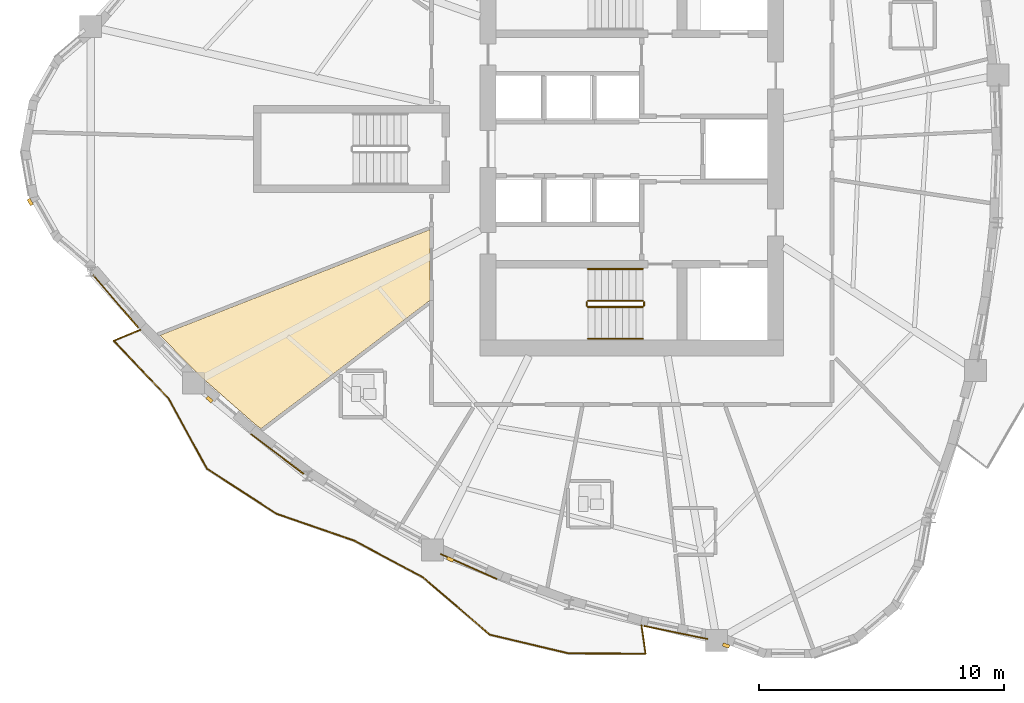
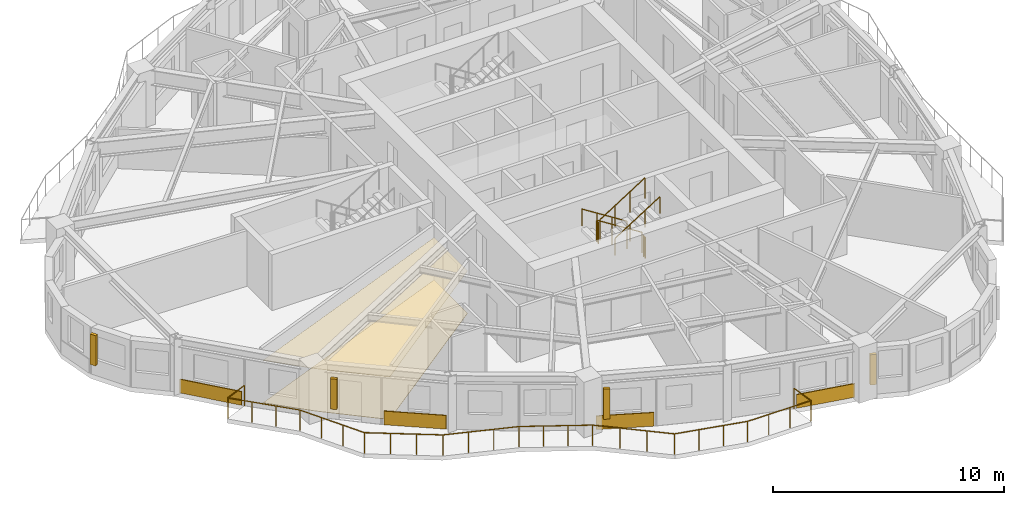
# One storey, part 9 of 12: 7 railings, 6 coverings, 4 shading devices.
"""IFC4 building model written with IfcOpenShell, lengths in metres."""

import ifcopenshell
import ifcopenshell.guid

model = None  # the IFC model being written
_history = None  # IfcOwnerHistory: only IFC2X3 demands one
_inside = {}  # id of a spatial element -> (the spatial element, [elements in it])
_under = {}  # id of a project, library or spatial element -> (it, [spatial elements below it])
_declared = {}  # id of a project -> (the project, [libraries it declares])
_typed = {}  # id of a type object -> (the type object, [elements of that type])
_made_of = {}  # id of a material, layer set ... -> (it, [elements and type objects made of it])


def new_model(schema):
    """Start an empty IFC model of exactly this schema.

    Asked for "IFC4X3", IfcOpenShell would pick the latest addendum, in which some entities
    have other attributes; the version numbers below select the first issue.
    IFC2X3 requires an IfcOwnerHistory on every rooted entity: one is made here for all.
    """
    global model, _history
    if schema == "IFC4X3":
        model = ifcopenshell.file(schema_version=(4, 3, 0, 0))
    else:
        model = ifcopenshell.file(schema=schema)
    _inside.clear()
    _under.clear()
    _declared.clear()
    _typed.clear()
    _made_of.clear()
    _history = None
    if model.schema == "IFC2X3":
        org = make("IfcOrganization", Name="unknown")
        user = make(
            "IfcPersonAndOrganization",
            ThePerson=make("IfcPerson", FamilyName="unknown"),
            TheOrganization=org,
        )
        app = make(
            "IfcApplication",
            ApplicationDeveloper=org,
            Version="unknown",
            ApplicationFullName="unknown",
            ApplicationIdentifier="unknown",
        )
        _history = make(
            "IfcOwnerHistory",
            OwningUser=user,
            OwningApplication=app,
            ChangeAction="ADDED",
            CreationDate=0,
        )
    return model


def make(cls, **values):
    """One entity of the class cls with the attributes given. An attribute that is None is left unset."""
    return model.create_entity(
        cls, **{name: value for name, value in values.items() if value is not None}
    )


def rooted(cls, **values):
    """An entity with a GlobalId (a new one), such as an element, a storey or a relation."""
    return make(cls, GlobalId=ifcopenshell.guid.new(), OwnerHistory=_history, **values)


def si_unit(unit_type, name, prefix=None):
    """IfcSIUnit, for example si_unit("LENGTHUNIT", "METRE", prefix="MILLI")."""
    return make("IfcSIUnit", UnitType=unit_type, Prefix=prefix, Name=name)


def assignment(units):
    """IfcUnitAssignment: the units of a project."""
    return None if units is None else make("IfcUnitAssignment", Units=units)


def point(xyz):
    """IfcCartesianPoint."""
    return None if xyz is None else make("IfcCartesianPoint", Coordinates=xyz)


def direction(xyz):
    """IfcDirection."""
    return None if xyz is None else make("IfcDirection", DirectionRatios=xyz)


def frame(location, z_axis=None, x_axis=None):
    """IfcAxis2Placement3D, a coordinate frame: its origin and axes. An axis left out is left unset."""
    return make(
        "IfcAxis2Placement3D",
        Location=point(location),
        Axis=direction(z_axis),
        RefDirection=direction(x_axis),
    )


def frame_2d(location, x_axis=None):
    """IfcAxis2Placement2D, a coordinate frame in the plane: its origin and x axis."""
    return make(
        "IfcAxis2Placement2D", Location=point(location), RefDirection=direction(x_axis)
    )


def origin():
    """The frame at (0, 0, 0) with its axes left unset."""
    return frame((0.0, 0.0, 0.0))


def origin_2d():
    """The frame at (0, 0) in the plane with its x axis left unset."""
    return frame_2d((0.0, 0.0))


def place(relative_to, where):
    """IfcLocalPlacement: puts the frame where relative to a parent placement (None: the world)."""
    return make(
        "IfcLocalPlacement", PlacementRelTo=relative_to, RelativePlacement=where
    )


def context(
    kind, dimensions, precision=None, world=None, true_north=None, identifier=None
):
    """IfcGeometricRepresentationContext, for example the 3D "Model" context."""
    return make(
        "IfcGeometricRepresentationContext",
        ContextIdentifier=identifier,
        ContextType=kind,
        CoordinateSpaceDimension=dimensions,
        Precision=precision,
        WorldCoordinateSystem=world,
        TrueNorth=true_north,
    )


def subcontext(parent, identifier, kind, view, scale=None):
    """IfcGeometricRepresentationSubContext, for example "Body" below "Model"."""
    return make(
        "IfcGeometricRepresentationSubContext",
        ContextIdentifier=identifier,
        ContextType=kind,
        ParentContext=parent,
        TargetScale=scale,
        TargetView=view,
    )


def project(units=None, contexts=None):
    """IfcProject with its units and contexts."""
    return rooted(
        "IfcProject",
        Name="project",
        RepresentationContexts=contexts,
        UnitsInContext=assignment(units),
    )


def spatial(cls, under=None, at=None, **own):
    """A site, building, storey or space (cls), placed at a placement, below another one or the project."""
    s = rooted(cls, ObjectPlacement=at, **own)
    if under is not None:
        _under.setdefault(under.id(), (under, []))[1].append(s)
    return s


def polyline(points):
    """IfcPolyline through the points."""
    return make("IfcPolyline", Points=[point(p) for p in points])


def profile(cls, at=None, kind="AREA", **sizes):
    """A parametric profile (cls). Its sizes go by their IFC names, for example OverallWidth=200.0."""
    return make(cls, ProfileType=kind, Position=at, **sizes)


def rectangle(**sizes):
    """IfcRectangleProfileDef."""
    return profile("IfcRectangleProfileDef", **sizes)


def circle(**sizes):
    """IfcCircleProfileDef."""
    return profile("IfcCircleProfileDef", **sizes)


def outline(outer, holes=None, kind="AREA"):
    """IfcArbitraryClosedProfileDef: a profile drawn as a closed curve; with holes, ...WithVoids."""
    if holes is None:
        return make("IfcArbitraryClosedProfileDef", ProfileType=kind, OuterCurve=outer)
    return make(
        "IfcArbitraryProfileDefWithVoids",
        ProfileType=kind,
        OuterCurve=outer,
        InnerCurves=holes,
    )


def extrude(swept, where, along, depth):
    """IfcExtrudedAreaSolid: the profile swept, set in the frame where, extruded along a direction by depth."""
    return make(
        "IfcExtrudedAreaSolid",
        SweptArea=swept,
        Position=where,
        ExtrudedDirection=direction(along),
        Depth=depth,
    )


def shape(context_of_items, identifier, shape_type, items):
    """IfcShapeRepresentation: the items that make up one representation, for example the "Body"."""
    return make(
        "IfcShapeRepresentation",
        ContextOfItems=context_of_items,
        RepresentationIdentifier=identifier,
        RepresentationType=shape_type,
        Items=items,
    )


def source(mapping_origin, context_of_items, identifier, shape_type, items):
    """IfcRepresentationMap: a shape defined once, which mapped items show again and again."""
    return make(
        "IfcRepresentationMap",
        MappingOrigin=mapping_origin,
        MappedRepresentation=shape(context_of_items, identifier, shape_type, items),
    )


def transform(
    local_origin,
    x_axis=None,
    y_axis=None,
    z_axis=None,
    scale=None,
    scale2=None,
    scale3=None,
    uniform=True,
):
    """IfcCartesianTransformationOperator3D, or its non-uniform kind. x_axis, y_axis, z_axis: its Axis1, 2, 3."""
    if uniform:
        return make(
            "IfcCartesianTransformationOperator3D",
            Axis1=direction(x_axis),
            Axis2=direction(y_axis),
            LocalOrigin=point(local_origin),
            Scale=scale,
            Axis3=direction(z_axis),
        )
    return make(
        "IfcCartesianTransformationOperator3DnonUniform",
        Axis1=direction(x_axis),
        Axis2=direction(y_axis),
        LocalOrigin=point(local_origin),
        Scale=scale,
        Axis3=direction(z_axis),
        Scale2=scale2,
        Scale3=scale3,
    )


def mapped(mapping_source, mapping_target):
    """IfcMappedItem: shows the shape of a source again, moved by a transform."""
    return make(
        "IfcMappedItem", MappingSource=mapping_source, MappingTarget=mapping_target
    )


def material(Name=None, Category=None):
    """IfcMaterial."""
    return make("IfcMaterial", Name=Name, Category=Category)


def layer(
    of_material, thickness, ventilated=None, Name=None, Category=None, Priority=None
):
    """IfcMaterialLayer: one layer of a wall or slab, of a material (None: an air gap)."""
    return make(
        "IfcMaterialLayer",
        Material=of_material,
        LayerThickness=thickness,
        IsVentilated=ventilated,
        Name=Name,
        Category=Category,
        Priority=Priority,
    )


def layer_set(layers, Name=None):
    """IfcMaterialLayerSet."""
    return make("IfcMaterialLayerSet", MaterialLayers=layers, LayerSetName=Name)


def made_of(thing, what):
    """Note that an element or type object is made of a material, layer set ...; save() writes the relation."""
    if what is not None:
        _made_of.setdefault(what.id(), (what, []))[1].append(thing)
    return thing


def type_object(cls, material=None, **own):
    """A type object (cls), such as IfcWallType, which elements share."""
    return made_of(rooted(cls, **own), material)


def element(
    cls,
    number,
    at=None,
    inside=None,
    cuts=None,
    type_object=None,
    material=None,
    context=None,
    identifier="Body",
    shape_type=None,
    held_by="IfcProductDefinitionShape",
    body=None,
    shapes=None,
    **own,
):
    """One element of the class cls, such as IfcWall. Its Tag is "e" and its number.

    at: its placement. inside: the storey or other place that contains it. cuts: it is an
    opening in that element (IfcRelVoidsElement). A single representation is given by context,
    identifier, shape_type and body (its items); several are given by shapes. held_by: the class
    of the entity that holds the representations. save() writes the other relations.
    """
    e = rooted(cls, Tag="e%d" % number, ObjectPlacement=at, **own)
    if body is not None:
        shapes = [shape(context, identifier, shape_type, body)]
    if shapes is not None:
        e.Representation = make(held_by, Representations=shapes)
    if inside is not None:
        _inside.setdefault(inside.id(), (inside, []))[1].append(e)
    if cuts is not None:
        rooted(
            "IfcRelVoidsElement", RelatingBuildingElement=cuts, RelatedOpeningElement=e
        )
    if type_object is not None:
        _typed.setdefault(type_object.id(), (type_object, []))[1].append(e)
    return made_of(e, material)


def aggregate(whole, parts):
    """IfcRelAggregates: a whole, such as a stair, and the parts it consists of."""
    return rooted("IfcRelAggregates", RelatingObject=whole, RelatedObjects=parts)


def save(model, path):
    """Write the relations noted so far, then the file.

    IfcRelAggregates (storeys below a building ...), IfcRelContainedInSpatialStructure (elements
    in a storey), IfcRelDefinesByType, IfcRelAssociatesMaterial and IfcRelDeclares: one each for
    every whole, place, type object, material and project.
    """
    for whole, parts in _under.values():
        aggregate(whole, parts)
    for where, things in _inside.values():
        rooted(
            "IfcRelContainedInSpatialStructure",
            RelatedElements=things,
            RelatingStructure=where,
        )
    for kind, things in _typed.values():
        rooted("IfcRelDefinesByType", RelatedObjects=things, RelatingType=kind)
    for what, things in _made_of.values():
        rooted("IfcRelAssociatesMaterial", RelatedObjects=things, RelatingMaterial=what)
    for by, libraries in _declared.values():
        rooted("IfcRelDeclares", RelatingContext=by, RelatedDefinitions=libraries)
    model.write(path)


model = new_model("IFC4")

# Units and contexts
model_context = context("Model", 3, precision=1e-05, world=origin(), true_north=direction((0.0, 1.0)))
body_context = subcontext(model_context, "Body", "Model", "MODEL_VIEW")
ifc_project = project(units=[si_unit("LENGTHUNIT", "METRE"), si_unit("AREAUNIT", "SQUARE_METRE"), si_unit("VOLUMEUNIT", "CUBIC_METRE"), si_unit("PLANEANGLEUNIT", "RADIAN"), si_unit("MASSUNIT", "GRAM", prefix="KILO")], contexts=[model_context])

# Site, building, storey
site_placement = place(None, origin())
site = spatial("IfcSite", under=ifc_project, at=site_placement, CompositionType="ELEMENT")
building_placement = place(site_placement, origin())
building = spatial("IfcBuilding", under=site, at=building_placement, Name="Qafzar Sky-Pleat Residences", CompositionType="ELEMENT")
storey_placement = place(building_placement, frame((0.0, 0.0, 76.800048828125)))
storey = spatial("IfcBuildingStorey", under=building, at=storey_placement, Name="L22", CompositionType="ELEMENT", Elevation=76.800048828125)

# Coverings
ifc_material_1 = material(Name="Perforated acoustic gypsum board ceiling")
ifc_layer_1 = layer(ifc_material_1, 0.02001953125)
ifc_layer_set_1 = layer_set([ifc_layer_1], Name="Perforated acoustic gypsum board ceiling")
covering_type_1 = type_object("IfcCoveringType", Name="COV-CEIL-ACOUSTIC", PredefinedType="CEILING", material=ifc_layer_set_1)
covering_1_placement = place(storey_placement, frame((0.0, 0.0, 2.239990234375)))
element("IfcCovering", 1, at=covering_1_placement, inside=storey, type_object=covering_type_1, Name="L22 Common Dining Room Acoustic Ceiling", PredefinedType="CEILING", context=body_context, shape_type="SweptSolid", body=[
    extrude(outline(polyline([(14.973876953125, 14.75439453125), (12.726318359375, 16.727294921875), (11.08349609375, 18.393798828125), (22.110107421875, 22.710205078125), (22.110107421875, 19.818603515625), (15.2080078125, 14.57763671875), (14.973876953125, 14.75439453125)])), origin(), (0.0, 0.0, 1.0), 0.02001953125),
])
ifc_material_2 = material(Name="Honed porcelain and Riyadh stone tile flooring", Category="masonry")
ifc_layer_2 = layer(ifc_material_2, 0.02001953125)
ifc_layer_set_2 = layer_set([ifc_layer_2], Name="Honed porcelain and Riyadh stone tile flooring")
covering_type_2 = type_object("IfcCoveringType", Name="COV-FLR-PORCELAIN", PredefinedType="FLOORING", material=ifc_layer_set_2)
covering_2_placement = place(storey_placement, origin())
element("IfcCovering", 2, at=covering_2_placement, inside=storey, type_object=covering_type_2, Name="L22 Common Dining Room Honed Stone Flooring", PredefinedType="FLOORING", context=body_context, shape_type="SweptSolid", body=[
    extrude(outline(polyline([(14.973876953125, 14.75439453125), (12.726318359375, 16.727294921875), (11.08349609375, 18.393798828125), (22.110107421875, 22.710205078125), (22.110107421875, 19.818603515625), (15.2080078125, 14.57763671875), (14.973876953125, 14.75439453125)])), origin(), (0.0, 0.0, 1.0), 0.02001953125),
])

# Shading devices
ifc_material_3 = material(Name="Honed Riyadh limestone solar fin", Category="masonry")
ifc_layer_3 = layer(ifc_material_3, 0.139892578125)
ifc_layer_set_3 = layer_set([ifc_layer_3], Name="Honed Riyadh limestone solar fin")
shading_device_type = type_object("IfcShadingDeviceType", Name="SHD-FIN-STONE", PredefinedType="SHUTTER", material=ifc_layer_set_3)
shared_shape_1 = source(origin(), body_context, "Body", "SweptSolid", [
    extrude(rectangle(XDim=0.139892578125, YDim=0.280029296875, at=origin_2d()), origin(), (0.0, 0.0, 1.0), 1.60009765625),
])
for number, where, z_axis, x_axis, name in (
    (3, (5.78466796875, 23.83251953125, 0.599853515625), (0.0, 0.0, 1.0), (-0.868289358176, -0.49605805152, 0.0), "L22 Limestone Solar Fin 5"),
    (4, (13.108642578125, 15.77294921875, 0.599853515625), (0.0, 0.0, 1.0), (-0.659704031974, -0.751525508681, 0.0), "L22 Limestone Solar Fin 9"),
    (5, (22.9345703125, 9.24169921875, 0.599853515625), (0.0, 0.0, 1.0), (-0.406986553013, -0.913434149606, 0.0), "L22 Limestone Solar Fin 13"),
    (6, (34.197509765625, 5.724365234375, 0.599853515625), (0.0, 0.0, 1.0), (-0.349795816618, -0.936825963921, 0.0), "L22 Limestone Solar Fin 17"),
):
    element("IfcShadingDevice", number, at=place(storey_placement, frame(where, z_axis=z_axis, x_axis=x_axis)), inside=storey, type_object=shading_device_type, Name=name, PredefinedType="SHUTTER", context=body_context, shape_type="MappedRepresentation", body=[
        mapped(shared_shape_1, transform((0.0, 0.0, 0.0), x_axis=(1.0, 0.0, 0.0), y_axis=(0.0, 1.0, 0.0), z_axis=(0.0, 0.0, 1.0), scale=1.0)),
    ])

# Railing
ifc_material_4 = material(Name="Laminated glass and bronze steel balustrade", Category="steel")
railing_type_1 = type_object("IfcRailingType", Name="RAIL-BAL-1100", PredefinedType="BALUSTRADE", material=ifc_material_4)
shared_shape_2 = source(origin(), body_context, "Body", "SweptSolid", [
    extrude(circle(Radius=0.02392578125, at=origin_2d()), frame((0.0, 0.0, 1.076171875), z_axis=(-0.923064659651, -0.384644815517, 0.0), x_axis=(0.384644815517, -0.923064659651, 0.0)), (0.0, 0.0, 1.0), 1.177978515625),
    extrude(circle(Radius=0.02392578125, at=origin_2d()), frame((-1.08740234375, -0.453125, 1.076171875), z_axis=(0.689608250785, -0.724182615402, 0.0), x_axis=(0.724182615402, 0.689608250785, 0.0)), (0.0, 0.0, 1.0), 3.248291015625),
    extrude(circle(Radius=0.02392578125, at=origin_2d()), frame((1.152587890625, -2.805419921875, 1.076171875), z_axis=(0.478139425379, -0.878283946055, 0.0), x_axis=(0.878283946055, 0.478139425379, 0.0)), (0.0, 0.0, 1.0), 3.264892578125),
    extrude(circle(Radius=0.02392578125, at=origin_2d()), frame((2.713623046875, -5.6728515625, 1.076171875), z_axis=(0.839786399163, -0.542916940038, 0.0), x_axis=(0.542916940038, 0.839786399163, 0.0)), (0.0, 0.0, 1.0), 3.3916015625),
    extrude(circle(Radius=0.02392578125, at=origin_2d()), frame((5.561767578125, -7.51416015625, 1.076171875), z_axis=(0.944911742668, -0.327325218349, 0.0), x_axis=(0.327325218349, 0.944911742668, 0.0)), (0.0, 0.0, 1.0), 3.359375),
    extrude(circle(Radius=0.02392578125, at=origin_2d()), frame((8.736083984375, -8.61376953125, 1.076171875), z_axis=(0.882214448955, -0.470847816237, 0.0), x_axis=(0.470847816237, 0.882214448955, 0.0)), (0.0, 0.0, 1.0), 3.1728515625),
    extrude(circle(Radius=0.02392578125, at=origin_2d()), frame((11.53515625, -10.107666015625, 1.076171875), z_axis=(0.759314052168, -0.650724342698, 0.0), x_axis=(0.650724342698, 0.759314052168, 0.0)), (0.0, 0.0, 1.0), 3.599609375),
    extrude(circle(Radius=0.02392578125, at=origin_2d()), frame((14.268310546875, -12.449951171875, 1.076171875), z_axis=(0.972967941431, -0.230940219424, 0.0), x_axis=(0.230940219424, 0.972967941431, 0.0)), (0.0, 0.0, 1.0), 3.29931640625),
    extrude(circle(Radius=0.02392578125, at=origin_2d()), frame((17.478515625, -13.2119140625, 1.076171875), z_axis=(0.999988425304, -0.004811367559, 0.0), x_axis=(0.004811367559, 0.999988425304, 0.0)), (0.0, 0.0, 1.0), 3.14599609375),
    extrude(circle(Radius=0.02392578125, at=origin_2d()), frame((20.62451171875, -13.22705078125, 1.076171875), z_axis=(-0.139912212817, 0.990163912039, 0.0), x_axis=(-0.990163912039, -0.139912212817, 0.0)), (0.0, 0.0, 1.0), 1.177734375),
    extrude(circle(Radius=0.02099609375, at=origin_2d()), origin(), (0.0, 0.0, 1.0), 1.052001953125),
    extrude(circle(Radius=0.02099609375, at=origin_2d()), frame((-1.08740234375, -0.453125, 0.0)), (0.0, 0.0, 1.0), 1.052001953125),
    extrude(circle(Radius=0.02099609375, at=origin_2d()), frame((-0.3408203125, -1.2373046875, 0.0)), (0.0, 0.0, 1.0), 1.052001953125),
    extrude(circle(Radius=0.02099609375, at=origin_2d()), frame((0.406005859375, -2.021240234375, 0.0)), (0.0, 0.0, 1.0), 1.052001953125),
    extrude(circle(Radius=0.02099609375, at=origin_2d()), frame((1.152587890625, -2.805419921875, 0.0)), (0.0, 0.0, 1.0), 1.052001953125),
    extrude(circle(Radius=0.02099609375, at=origin_2d()), frame((1.6728515625, -3.76123046875, 0.0)), (0.0, 0.0, 1.0), 1.052001953125),
    extrude(circle(Radius=0.02099609375, at=origin_2d()), frame((2.193359375, -4.717041015625, 0.0)), (0.0, 0.0, 1.0), 1.052001953125),
    extrude(circle(Radius=0.02099609375, at=origin_2d()), frame((2.713623046875, -5.6728515625, 0.0)), (0.0, 0.0, 1.0), 1.052001953125),
    extrude(circle(Radius=0.02099609375, at=origin_2d()), frame((3.6630859375, -6.28662109375, 0.0)), (0.0, 0.0, 1.0), 1.052001953125),
    extrude(circle(Radius=0.02099609375, at=origin_2d()), frame((4.6123046875, -6.900390625, 0.0)), (0.0, 0.0, 1.0), 1.052001953125),
    extrude(circle(Radius=0.02099609375, at=origin_2d()), frame((5.561767578125, -7.51416015625, 0.0)), (0.0, 0.0, 1.0), 1.052001953125),
    extrude(circle(Radius=0.02099609375, at=origin_2d()), frame((6.619873046875, -7.880615234375, 0.0)), (0.0, 0.0, 1.0), 1.052001953125),
    extrude(circle(Radius=0.02099609375, at=origin_2d()), frame((7.677978515625, -8.247314453125, 0.0)), (0.0, 0.0, 1.0), 1.052001953125),
    extrude(circle(Radius=0.02099609375, at=origin_2d()), frame((8.736083984375, -8.61376953125, 0.0)), (0.0, 0.0, 1.0), 1.052001953125),
    extrude(circle(Radius=0.02099609375, at=origin_2d()), frame((9.669189453125, -9.11181640625, 0.0)), (0.0, 0.0, 1.0), 1.052001953125),
    extrude(circle(Radius=0.02099609375, at=origin_2d()), frame((10.60205078125, -9.609619140625, 0.0)), (0.0, 0.0, 1.0), 1.052001953125),
    extrude(circle(Radius=0.02099609375, at=origin_2d()), frame((11.53515625, -10.107666015625, 0.0)), (0.0, 0.0, 1.0), 1.052001953125),
    extrude(circle(Radius=0.02099609375, at=origin_2d()), frame((12.4462890625, -10.888427734375, 0.0)), (0.0, 0.0, 1.0), 1.052001953125),
    extrude(circle(Radius=0.02099609375, at=origin_2d()), frame((13.357177734375, -11.669189453125, 0.0)), (0.0, 0.0, 1.0), 1.052001953125),
    extrude(circle(Radius=0.02099609375, at=origin_2d()), frame((14.268310546875, -12.449951171875, 0.0)), (0.0, 0.0, 1.0), 1.052001953125),
    extrude(circle(Radius=0.02099609375, at=origin_2d()), frame((15.33837890625, -12.703857421875, 0.0)), (0.0, 0.0, 1.0), 1.052001953125),
    extrude(circle(Radius=0.02099609375, at=origin_2d()), frame((16.408447265625, -12.9580078125, 0.0)), (0.0, 0.0, 1.0), 1.052001953125),
    extrude(circle(Radius=0.02099609375, at=origin_2d()), frame((17.478515625, -13.2119140625, 0.0)), (0.0, 0.0, 1.0), 1.052001953125),
    extrude(circle(Radius=0.02099609375, at=origin_2d()), frame((18.527099609375, -13.217041015625, 0.0)), (0.0, 0.0, 1.0), 1.052001953125),
    extrude(circle(Radius=0.02099609375, at=origin_2d()), frame((19.575927734375, -13.221923828125, 0.0)), (0.0, 0.0, 1.0), 1.052001953125),
    extrude(circle(Radius=0.02099609375, at=origin_2d()), frame((20.62451171875, -13.22705078125, 0.0)), (0.0, 0.0, 1.0), 1.052001953125),
    extrude(circle(Radius=0.02099609375, at=origin_2d()), frame((20.459716796875, -12.060791015625, 0.0)), (0.0, 0.0, 1.0), 1.052001953125),
])
railing_1_placement = place(storey_placement, frame((10.285400390625, 18.6181640625, 0.0)))
element("IfcRailing", 7, at=railing_1_placement, inside=storey, type_object=railing_type_1, Name="L22 Pleated Balcony 3 Balustrade", PredefinedType="BALUSTRADE", context=body_context, shape_type="MappedRepresentation", body=[
    mapped(shared_shape_2, transform((0.0, 0.0, 0.0), x_axis=(1.0, 0.0, 0.0), y_axis=(0.0, 1.0, 0.0), z_axis=(0.0, 0.0, 1.0), scale=1.0)),
])

# Coverings
ifc_material_5 = material(Name="Honed Riyadh Tuwaiq limestone cladding", Category="masonry")
ifc_layer_4 = layer(ifc_material_5, 0.044921875)
ifc_layer_set_4 = layer_set([ifc_layer_4], Name="Honed Riyadh Tuwaiq limestone cladding")
covering_type_3 = type_object("IfcCoveringType", Name="COV-CLAD-STONE", PredefinedType="CLADDING", material=ifc_layer_set_4)
shared_shape_3 = source(origin(), body_context, "Body", "SweptSolid", [
    extrude(rectangle(XDim=2.83837890625, YDim=0.044921875, at=origin_2d()), origin(), (0.0, 0.0, 1.0), 0.719970703125),
])
covering_3_placement = place(storey_placement, frame((9.2783203125, 19.776611328125, 0.02001953125), z_axis=(0.0, 0.0, 1.0), x_axis=(0.65076787103, -0.759276746671, 0.0)))
element("IfcCovering", 8, at=covering_3_placement, inside=storey, type_object=covering_type_3, Name="L22 Riyadh Limestone Spandrel Cladding 7", PredefinedType="CLADDING", context=body_context, shape_type="MappedRepresentation", body=[
    mapped(shared_shape_3, transform((0.0, 0.0, 0.0), x_axis=(1.0, 0.0, 0.0), y_axis=(0.0, 1.0, 0.0), z_axis=(0.0, 0.0, 1.0), scale=1.0)),
])
shared_shape_4 = source(origin(), body_context, "Body", "SweptSolid", [
    extrude(rectangle(XDim=2.70361328125, YDim=0.044921875, at=origin_2d()), origin(), (0.0, 0.0, 1.0), 0.719970703125),
])
covering_4_placement = place(storey_placement, frame((15.876708984375, 13.544921875, 0.02001953125), z_axis=(0.0, 0.0, 1.0), x_axis=(0.798395365386, -0.602133573661, 0.0)))
element("IfcCovering", 9, at=covering_4_placement, inside=storey, type_object=covering_type_3, Name="L22 Riyadh Limestone Spandrel Cladding 10", PredefinedType="CLADDING", context=body_context, shape_type="MappedRepresentation", body=[
    mapped(shared_shape_4, transform((0.0, 0.0, 0.0), x_axis=(1.0, 0.0, 0.0), y_axis=(0.0, 1.0, 0.0), z_axis=(0.0, 0.0, 1.0), scale=1.0)),
])
shared_shape_5 = source(origin(), body_context, "Body", "SweptSolid", [
    extrude(rectangle(XDim=2.519287109375, YDim=0.044921875, at=origin_2d()), origin(), (0.0, 0.0, 1.0), 0.719970703125),
])
covering_5_placement = place(storey_placement, frame((23.69189453125, 8.951416015625, 0.02001953125), z_axis=(0.0, 0.0, 1.0), x_axis=(0.913434009373, -0.406986867749, 0.0)))
element("IfcCovering", 10, at=covering_5_placement, inside=storey, type_object=covering_type_3, Name="L22 Riyadh Limestone Spandrel Cladding 13", PredefinedType="CLADDING", context=body_context, shape_type="MappedRepresentation", body=[
    mapped(shared_shape_5, transform((0.0, 0.0, 0.0), x_axis=(1.0, 0.0, 0.0), y_axis=(0.0, 1.0, 0.0), z_axis=(0.0, 0.0, 1.0), scale=1.0)),
])
shared_shape_6 = source(origin(), body_context, "Body", "SweptSolid", [
    extrude(rectangle(XDim=2.65380859375, YDim=0.044921875, at=origin_2d()), origin(), (0.0, 0.0, 1.0), 0.719970703125),
])
covering_6_placement = place(storey_placement, frame((32.145751953125, 6.258056640625, 0.02001953125), z_axis=(0.0, 0.0, 1.0), x_axis=(0.979436154863, -0.201754351992, 0.0)))
element("IfcCovering", 11, at=covering_6_placement, inside=storey, type_object=covering_type_3, Name="L22 Riyadh Limestone Spandrel Cladding 16", PredefinedType="CLADDING", context=body_context, shape_type="MappedRepresentation", body=[
    mapped(shared_shape_6, transform((0.0, 0.0, 0.0), x_axis=(1.0, 0.0, 0.0), y_axis=(0.0, 1.0, 0.0), z_axis=(0.0, 0.0, 1.0), scale=1.0)),
])

# Railings
ifc_material_6 = material(Name="Painted Steel S355 stair guardrail", Category="steel")
railing_type_2 = type_object("IfcRailingType", Name="RAIL-STAIR-GUARD", PredefinedType="GUARDRAIL", material=ifc_material_6)
shared_shape_7 = source(origin(), body_context, "Body", "SweptSolid", [
    extrude(circle(Radius=0.02392578125, at=origin_2d()), frame((0.0, 0.0, 1.076171875), z_axis=(0.0, -1.0, 0.0), x_axis=(1.0, 0.0, 0.0)), (0.0, 0.0, 1.0), 0.14990234375),
    extrude(circle(Radius=0.02099609375, at=origin_2d()), origin(), (0.0, 0.0, 1.0), 1.052001953125),
    extrude(circle(Radius=0.02099609375, at=origin_2d()), frame((0.0, -0.14990234375, 0.0)), (0.0, 0.0, 1.0), 1.052001953125),
])
for number, where, name in (
    (12, (28.510009765625, 19.75, 1.599853515625), "L22 ST1 stair guard 2"),
    (13, (30.85009765625, 19.75, 0.0), "L22 ST1 stair guard 4"),
):
    element("IfcRailing", number, at=place(storey_placement, frame(where)), inside=storey, type_object=railing_type_2, Name=name, PredefinedType="GUARDRAIL", context=body_context, shape_type="MappedRepresentation", body=[
        mapped(shared_shape_7, transform((0.0, 0.0, 0.0), x_axis=(1.0, 0.0, 0.0), y_axis=(0.0, 1.0, 0.0), z_axis=(0.0, 0.0, 1.0), scale=1.0)),
    ])
shared_shape_8 = source(origin(), body_context, "Body", "SweptSolid", [
    extrude(circle(Radius=0.02392578125, at=origin_2d()), frame((0.0, 0.0, 1.076171875), z_axis=(-0.8442293374, 0.0, 0.53598211339), x_axis=(0.0, -1.0, 0.0)), (0.0, 0.0, 1.0), 2.6533203125),
    extrude(circle(Radius=0.02099609375, at=origin_2d()), origin(), (0.0, 0.0, 1.0), 1.052001953125),
    extrude(circle(Radius=0.02099609375, at=origin_2d()), frame((-0.74658203125, 0.0, 0.47412109375)), (0.0, 0.0, 1.0), 1.052001953125),
    extrude(circle(Radius=0.02099609375, at=origin_2d()), frame((-1.493408203125, 0.0, 0.947998046875)), (0.0, 0.0, 1.0), 1.052001953125),
    extrude(circle(Radius=0.02099609375, at=origin_2d()), frame((-2.239990234375, 0.0, 1.422119140625)), (0.0, 0.0, 1.0), 1.052001953125),
])
railing_2_placement = place(storey_placement, frame((30.800048828125, 19.800048828125, 0.177734375)))
element("IfcRailing", 14, at=railing_2_placement, inside=storey, type_object=railing_type_2, Name="L22 ST1 stair guard 1", PredefinedType="GUARDRAIL", context=body_context, shape_type="MappedRepresentation", body=[
    mapped(shared_shape_8, transform((0.0, 0.0, 0.0), x_axis=(1.0, 0.0, 0.0), y_axis=(0.0, 1.0, 0.0), z_axis=(0.0, 0.0, 1.0), scale=1.0)),
])
shared_shape_9 = source(origin(), body_context, "Body", "SweptSolid", [
    extrude(circle(Radius=0.02392578125, at=origin_2d()), frame((0.0, 0.0, 1.076171875), z_axis=(0.8442293374, 0.0, 0.53598211339), x_axis=(0.0, 1.0, 0.0)), (0.0, 0.0, 1.0), 2.6533203125),
    extrude(circle(Radius=0.02099609375, at=origin_2d()), origin(), (0.0, 0.0, 1.0), 1.052001953125),
    extrude(circle(Radius=0.02099609375, at=origin_2d()), frame((0.74658203125, 0.0, 0.47412109375)), (0.0, 0.0, 1.0), 1.052001953125),
    extrude(circle(Radius=0.02099609375, at=origin_2d()), frame((1.493408203125, 0.0, 0.947998046875)), (0.0, 0.0, 1.0), 1.052001953125),
    extrude(circle(Radius=0.02099609375, at=origin_2d()), frame((2.239990234375, 0.0, 1.422119140625)), (0.0, 0.0, 1.0), 1.052001953125),
])
railing_3_placement = place(storey_placement, frame((28.56005859375, 19.550048828125, 1.77783203125)))
element("IfcRailing", 15, at=railing_3_placement, inside=storey, type_object=railing_type_2, Name="L22 ST1 stair guard 3", PredefinedType="GUARDRAIL", context=body_context, shape_type="MappedRepresentation", body=[
    mapped(shared_shape_9, transform((0.0, 0.0, 0.0), x_axis=(1.0, 0.0, 0.0), y_axis=(0.0, 1.0, 0.0), z_axis=(0.0, 0.0, 1.0), scale=1.0)),
])
ifc_material_7 = material(Name="Brushed stainless steel handrail", Category="steel")
railing_type_3 = type_object("IfcRailingType", Name="RAIL-STAIR-HAND", PredefinedType="HANDRAIL", material=ifc_material_7)
shared_shape_10 = source(origin(), body_context, "Body", "SweptSolid", [
    extrude(circle(Radius=0.02392578125, at=origin_2d()), frame((0.0, 0.0, 0.8759765625), z_axis=(-0.8442293374, 0.0, 0.53598211339), x_axis=(0.0, -1.0, 0.0)), (0.0, 0.0, 1.0), 2.6533203125),
    extrude(circle(Radius=0.02099609375, at=origin_2d()), origin(), (0.0, 0.0, 1.0), 0.851806640625),
    extrude(circle(Radius=0.02099609375, at=origin_2d()), frame((-0.74658203125, 0.0, 0.47412109375)), (0.0, 0.0, 1.0), 0.851806640625),
    extrude(circle(Radius=0.02099609375, at=origin_2d()), frame((-1.493408203125, 0.0, 0.947998046875)), (0.0, 0.0, 1.0), 0.851806640625),
    extrude(circle(Radius=0.02099609375, at=origin_2d()), frame((-2.239990234375, 0.0, 1.422119140625)), (0.0, 0.0, 1.0), 0.851806640625),
])
railing_4_placement = place(storey_placement, frame((30.800048828125, 21.10009765625, 0.177734375)))
element("IfcRailing", 16, at=railing_4_placement, inside=storey, type_object=railing_type_3, Name="L22 ST1 stair handrail 1", PredefinedType="HANDRAIL", context=body_context, shape_type="MappedRepresentation", body=[
    mapped(shared_shape_10, transform((0.0, 0.0, 0.0), x_axis=(1.0, 0.0, 0.0), y_axis=(0.0, 1.0, 0.0), z_axis=(0.0, 0.0, 1.0), scale=1.0)),
])
shared_shape_11 = source(origin(), body_context, "Body", "SweptSolid", [
    extrude(circle(Radius=0.02392578125, at=origin_2d()), frame((0.0, 0.0, 0.8759765625), z_axis=(0.8442293374, 0.0, 0.53598211339), x_axis=(0.0, 1.0, 0.0)), (0.0, 0.0, 1.0), 2.6533203125),
    extrude(circle(Radius=0.02099609375, at=origin_2d()), origin(), (0.0, 0.0, 1.0), 0.851806640625),
    extrude(circle(Radius=0.02099609375, at=origin_2d()), frame((0.74658203125, 0.0, 0.47412109375)), (0.0, 0.0, 1.0), 0.851806640625),
    extrude(circle(Radius=0.02099609375, at=origin_2d()), frame((1.493408203125, 0.0, 0.947998046875)), (0.0, 0.0, 1.0), 0.851806640625),
    extrude(circle(Radius=0.02099609375, at=origin_2d()), frame((2.239990234375, 0.0, 1.422119140625)), (0.0, 0.0, 1.0), 0.851806640625),
])
railing_5_placement = place(storey_placement, frame((28.56005859375, 18.25, 1.77783203125)))
element("IfcRailing", 17, at=railing_5_placement, inside=storey, type_object=railing_type_3, Name="L22 ST1 stair handrail 2", PredefinedType="HANDRAIL", context=body_context, shape_type="MappedRepresentation", body=[
    mapped(shared_shape_11, transform((0.0, 0.0, 0.0), x_axis=(1.0, 0.0, 0.0), y_axis=(0.0, 1.0, 0.0), z_axis=(0.0, 0.0, 1.0), scale=1.0)),
])

save(model, "model.ifc")
